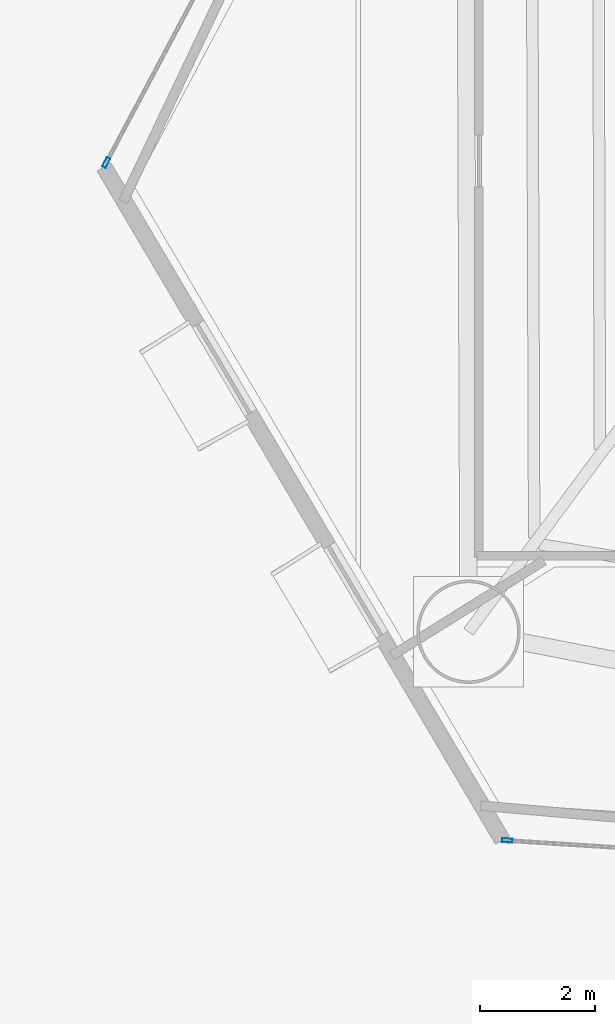
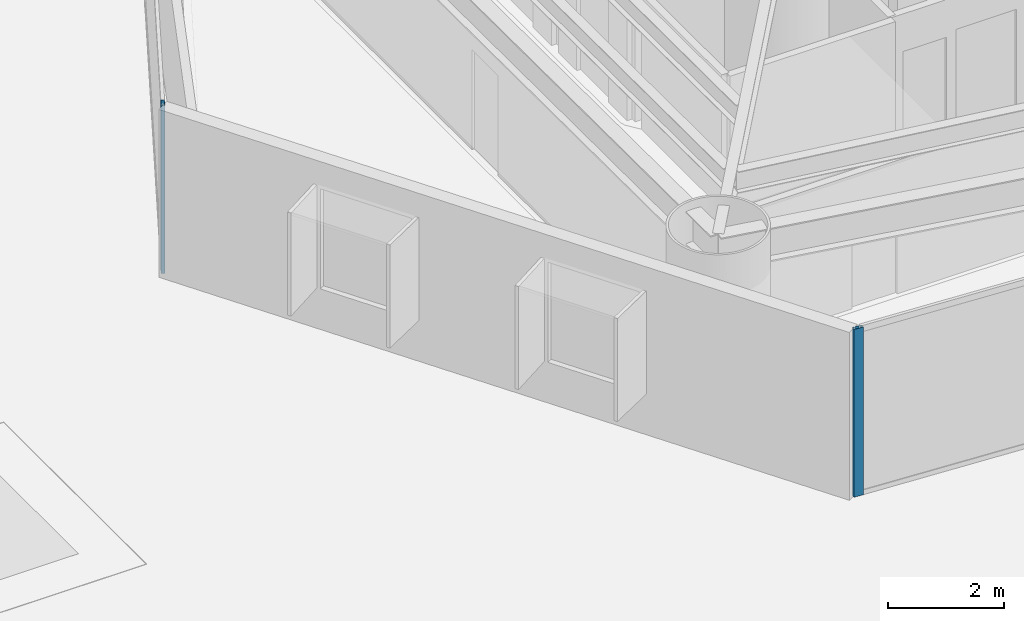
# One storey, part 2 of 22: 2 members, 2 elements without a shape of their own.
"""IFC4 building model written with IfcOpenShell, lengths in metres."""

from ifc_helpers import new_model, si_unit, direction, frame, origin, origin_2d, place, context, subcontext, project, spatial, hollow_rectangle, extrude, material, layer, layer_set, material_profile, profile_set, type_object, element, aggregate, save


model = new_model("IFC4")

# Units and contexts
model_context = context("Model", 3, precision=1e-05, world=origin(), true_north=direction((0.0, 1.0)))
body_context = subcontext(model_context, "Body", "Model", "MODEL_VIEW")
ifc_project = project(units=[si_unit("LENGTHUNIT", "METRE"), si_unit("AREAUNIT", "SQUARE_METRE"), si_unit("VOLUMEUNIT", "CUBIC_METRE"), si_unit("PLANEANGLEUNIT", "RADIAN"), si_unit("MASSUNIT", "GRAM", prefix="KILO")], contexts=[model_context])

# Site, building, storey
site_placement = place(None, origin())
site = spatial("IfcSite", under=ifc_project, at=site_placement, CompositionType="ELEMENT")
building_placement = place(site_placement, origin())
building = spatial("IfcBuilding", under=site, at=building_placement, Name="Qianvela Tower", CompositionType="ELEMENT")
storey_placement = place(building_placement, frame((0.0, 0.0, 25.699951171875)))
storey = spatial("IfcBuildingStorey", under=building, at=storey_placement, Name="L05", CompositionType="ELEMENT", Elevation=25.699951171875)

# Curtain wall, member
ifc_material_1 = material(Name="Anodised Architectural Aluminium and Low-E Glass", Category="aluminium")
ifc_layer = layer(ifc_material_1, 0.179931640625)
ifc_layer_set = layer_set([ifc_layer], Name="Anodised Architectural Aluminium and Low-E Glass")
curtain_wall_type = type_object("IfcCurtainWallType", Name="CW-COLIV-Z12", PredefinedType="USERDEFINED", material=ifc_layer_set)
curtain_wall_1_placement = place(storey_placement, origin())
curtain_wall_1 = element("IfcCurtainWall", 1, at=curtain_wall_1_placement, inside=storey, type_object=curtain_wall_type, Name="L05 CW-COLIV-Z12 Curtain Wall 04C", ObjectType="CURTAIN_WALL_SYSTEM", PredefinedType="USERDEFINED")
ifc_material_2 = material(Name="Anodised Architectural Aluminium 6063-T6", Category="aluminium")
ifc_material_profile = material_profile(ifc_material_2, hollow_rectangle(XDim=0.070068359375, YDim=0.179931640625, WallThickness=0.0048828125, at=origin_2d()), Name="ALU-MULL-70x180")
ifc_profile_set = profile_set([ifc_material_profile], Name="Anodised Architectural Aluminium 6063-T6")
member_type = type_object("IfcMemberType", Name="CW-COLIV-Z12-MULL", PredefinedType="MULLION", material=ifc_profile_set)
member_1_placement = place(storey_placement, frame((17.0986328125, 25.02587890625, 0.0), z_axis=(0.0, 0.0, 1.0), x_axis=(0.882951206588, -0.469464766287, 0.0)))
member_1 = element("IfcMember", 2, at=member_1_placement, type_object=member_type, Name="CW-3 mullion 2", PredefinedType="MULLION", context=body_context, shape_type="SweptSolid", body=[
    extrude(hollow_rectangle(XDim=0.070068359375, YDim=0.179931640625, WallThickness=0.0048828125, at=origin_2d()), origin(), (0.0, 0.0, 1.0), 3.52001953125),
])
aggregate(curtain_wall_1, [member_1])

curtain_wall_2_placement = place(storey_placement, origin())
curtain_wall_2 = element("IfcCurtainWall", 3, at=curtain_wall_2_placement, inside=storey, type_object=curtain_wall_type, Name="L05 CW-COLIV-Z12 Curtain Wall 06A", ObjectType="CURTAIN_WALL_SYSTEM", PredefinedType="USERDEFINED")
member_2_placement = place(storey_placement, frame((24.077880859375, 13.2265625, 0.0), z_axis=(0.0, 0.0, 1.0), x_axis=(0.063609696481, 0.997974852646, 0.0)))
member_2 = element("IfcMember", 4, at=member_2_placement, type_object=member_type, Name="CW-3 mullion 1", PredefinedType="MULLION", context=body_context, shape_type="SweptSolid", body=[
    extrude(hollow_rectangle(XDim=0.070068359375, YDim=0.179931640625, WallThickness=0.0048828125, at=origin_2d()), origin(), (0.0, 0.0, 1.0), 3.52001953125),
])
aggregate(curtain_wall_2, [member_2])

save(model, "model.ifc")
